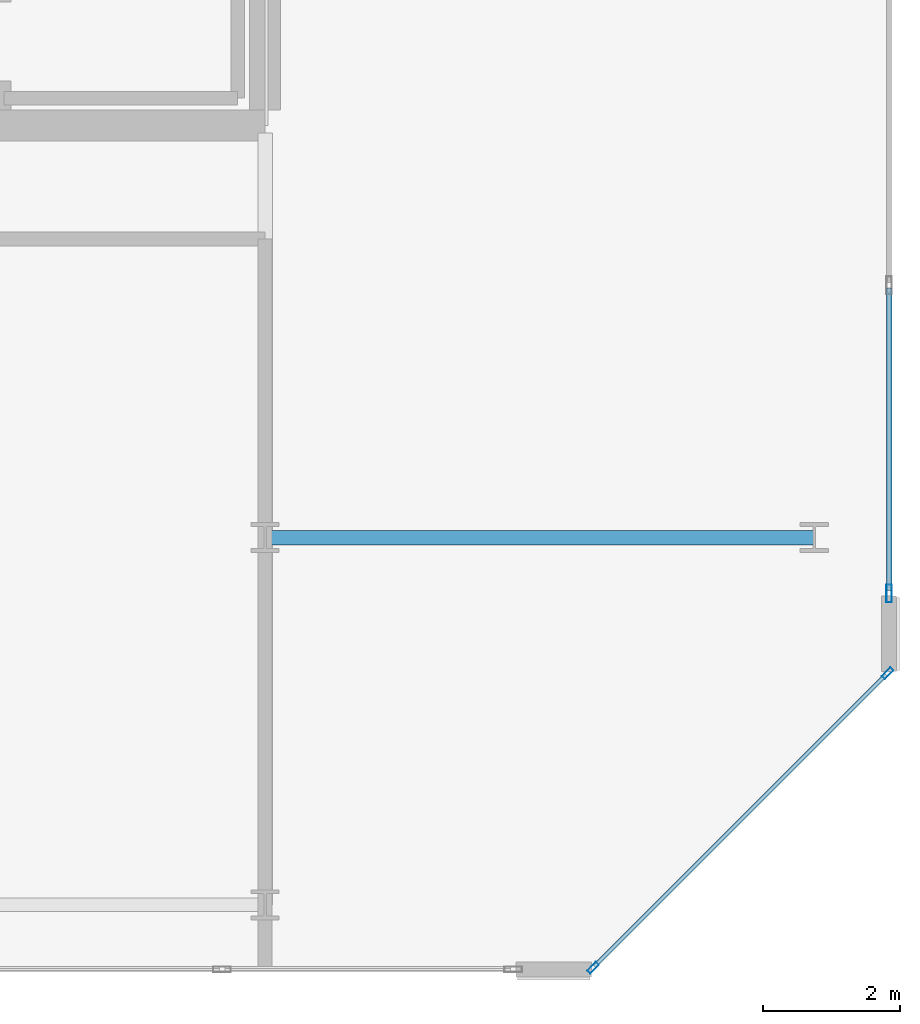
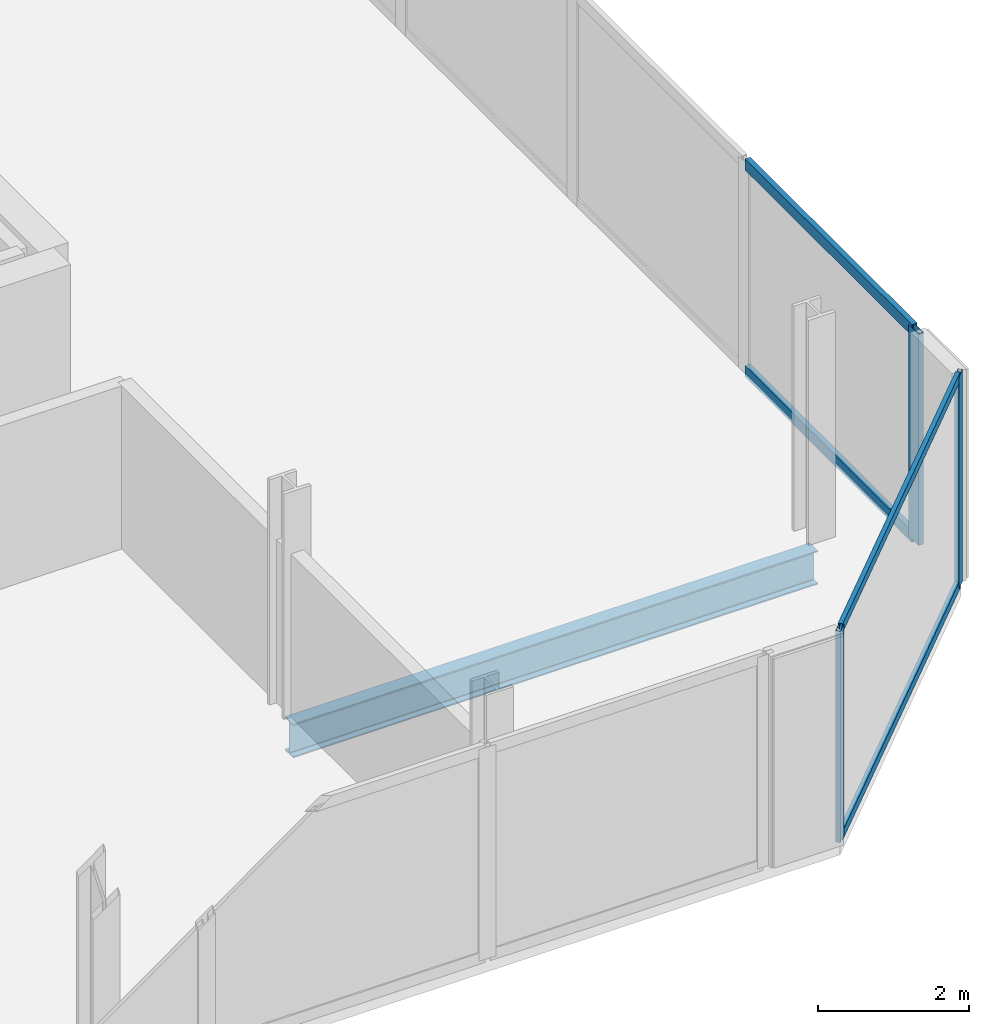
# One storey, part 7 of 16: 7 members, 1 beam, 2 elements without a shape of their own.
"""IFC4 building model written with IfcOpenShell, lengths in metres."""

from ifc_helpers import new_model, si_unit, direction, frame, origin, origin_2d, place, context, subcontext, project, spatial, hollow_rectangle, i_section, extrude, material, layer, layer_set, material_profile, profile_set, type_object, element, aggregate, save


model = new_model("IFC4")

# Units and contexts
model_context = context("Model", 3, precision=1e-05, world=origin(), true_north=direction((0.0, 1.0)))
body_context = subcontext(model_context, "Body", "Model", "MODEL_VIEW")
ifc_project = project(units=[si_unit("LENGTHUNIT", "METRE"), si_unit("AREAUNIT", "SQUARE_METRE"), si_unit("VOLUMEUNIT", "CUBIC_METRE"), si_unit("PLANEANGLEUNIT", "RADIAN"), si_unit("MASSUNIT", "GRAM", prefix="KILO")], contexts=[model_context])

# Site, building, storey
site_placement = place(None, origin())
site = spatial("IfcSite", under=ifc_project, at=site_placement, CompositionType="ELEMENT")
building_placement = place(site_placement, origin())
building = spatial("IfcBuilding", under=site, at=building_placement, Name="Tanjung Sevakor Pilgrim Tower", CompositionType="ELEMENT")
storey_placement = place(building_placement, frame((0.0, 0.0, 271.590087890625)))
storey = spatial("IfcBuildingStorey", under=building, at=storey_placement, Name="L76", CompositionType="ELEMENT", Elevation=271.590087890625)

# Beam
ifc_material_1 = material(Name="Steel S355J2", Category="steel")
ifc_material_profile_1 = material_profile(ifc_material_1, i_section(OverallWidth=0.2119140625, OverallDepth=0.54443359375, WebThickness=0.0126953125, FlangeThickness=0.021240234375, FilletRadius=0.0126953125, at=origin_2d()))
ifc_profile_set_1 = profile_set([ifc_material_profile_1], Name="Steel S355J2")
beam_type = type_object("IfcBeamType", Name="BM-B-G5-UB_533x210x122", PredefinedType="BEAM", material=ifc_profile_set_1)
beam_placement = place(storey_placement, frame((90.0, 18.60009765625, -0.4921875), z_axis=(1.0, 0.0, 0.0), x_axis=(0.0, 1.0, 0.0)))
element("IfcBeam", 1, at=beam_placement, inside=storey, type_object=beam_type, Name="L76 East Peak Wing Girder Y18.6", PredefinedType="BEAM", context=body_context, shape_type="SweptSolid", body=[
    extrude(i_section(OverallWidth=0.2119140625, OverallDepth=0.54443359375, WebThickness=0.0126953125, FlangeThickness=0.021240234375, FilletRadius=0.0126953125, at=origin_2d()), origin(), (0.0, 0.0, 1.0), 8.0),
])

# Curtain wall, members
ifc_material_2 = material(Name="Aluminium 6063-T6 and Low-E Glass", Category="aluminium")
ifc_layer_1 = layer(ifc_material_2, 0.179931640625)
ifc_layer_set_1 = layer_set([ifc_layer_1], Name="CW-SYS-CHAM")
curtain_wall_type_1 = type_object("IfcCurtainWallType", Name="CW-SYS-CHAM", PredefinedType="NOTDEFINED", material=ifc_layer_set_1)
curtain_wall_1_placement = place(storey_placement, origin())
curtain_wall_1 = element("IfcCurtainWall", 2, at=curtain_wall_1_placement, inside=storey, type_object=curtain_wall_type_1, Name="L76 Curtain Wall CW-CHM-L76-EAST-1", PredefinedType="NOTDEFINED")
ifc_material_3 = material(Name="Aluminium 6063-T6", Category="aluminium")
ifc_material_profile_2 = material_profile(ifc_material_3, hollow_rectangle(XDim=0.06494140625, YDim=0.179931640625, WallThickness=0.00390625, at=origin_2d()))
ifc_profile_set_2 = profile_set([ifc_material_profile_2], Name="Aluminium 6063-T6")
member_type_1 = type_object("IfcMemberType", Name="TYPE-CWM-1", PredefinedType="MULLION", material=ifc_profile_set_2)
member_1_placement = place(storey_placement, frame((94.77734375, 12.3330078125, 0.0), z_axis=(0.0, 0.0, 1.0), x_axis=(-0.707106781187, 0.707106781187, 0.0)))
member_1 = element("IfcMember", 3, at=member_1_placement, type_object=member_type_1, Name="CW-CHM mullion 1", PredefinedType="MULLION", context=body_context, shape_type="SweptSolid", body=[
    extrude(hollow_rectangle(XDim=0.06494140625, YDim=0.179931640625, WallThickness=0.00390625, at=origin_2d()), origin(), (0.0, 0.0, 1.0), 3.409912109375),
])
member_2_placement = place(storey_placement, frame((99.067138671875, 16.62255859375, 0.0), z_axis=(0.0, 0.0, 1.0), x_axis=(-0.707106781187, 0.707106781187, 0.0)))
member_2 = element("IfcMember", 4, at=member_2_placement, type_object=member_type_1, Name="CW-CHM mullion 2", PredefinedType="MULLION", context=body_context, shape_type="SweptSolid", body=[
    extrude(hollow_rectangle(XDim=0.06494140625, YDim=0.179931640625, WallThickness=0.00390625, at=origin_2d()), origin(), (0.0, 0.0, 1.0), 3.409912109375),
])

# Curtain wall, member
ifc_material_4 = material(Name="Aluminium 6063-T6 and Low-E Glass", Category="aluminium")
ifc_layer_2 = layer(ifc_material_4, 0.219970703125)
ifc_layer_set_2 = layer_set([ifc_layer_2], Name="CW-SYS-CRNE")
curtain_wall_type_2 = type_object("IfcCurtainWallType", Name="CW-SYS-CRNE", PredefinedType="NOTDEFINED", material=ifc_layer_set_2)
curtain_wall_2_placement = place(storey_placement, origin())
curtain_wall_2 = element("IfcCurtainWall", 5, at=curtain_wall_2_placement, inside=storey, type_object=curtain_wall_type_2, Name="L76 Curtain Wall CW-CRN-L76-EAST-2-1", PredefinedType="NOTDEFINED")
ifc_material_5 = material(Name="Aluminium 6063-T6", Category="aluminium")
ifc_material_profile_3 = material_profile(ifc_material_5, hollow_rectangle(XDim=0.080078125, YDim=0.260009765625, WallThickness=0.0048828125, at=origin_2d()))
ifc_profile_set_3 = profile_set([ifc_material_profile_3], Name="Aluminium 6063-T6")
member_type_2 = type_object("IfcMemberType", Name="TYPE-CWM-3", PredefinedType="MULLION", material=ifc_profile_set_3)
member_3_placement = place(storey_placement, frame((99.090087890625, 17.78564453125, 0.0), z_axis=(0.0, 0.0, 1.0), x_axis=(-1.0, 0.0, 0.0)))
member_3 = element("IfcMember", 6, at=member_3_placement, type_object=member_type_2, Name="CW-CRE mullion 1", PredefinedType="MULLION", context=body_context, shape_type="SweptSolid", body=[
    extrude(hollow_rectangle(XDim=0.080078125, YDim=0.260009765625, WallThickness=0.0048828125, at=origin_2d()), origin(), (0.0, 0.0, 1.0), 3.409912109375),
])

# Member
ifc_material_6 = material(Name="Aluminium 6063-T6", Category="aluminium")
ifc_material_profile_4 = material_profile(ifc_material_6, hollow_rectangle(XDim=0.06494140625, YDim=0.139892578125, WallThickness=0.00390625, at=origin_2d()))
ifc_profile_set_4 = profile_set([ifc_material_profile_4], Name="Aluminium 6063-T6")
member_type_3 = type_object("IfcMemberType", Name="TYPE-CWT-1", PredefinedType="USERDEFINED", material=ifc_profile_set_4)
member_4_placement = place(storey_placement, frame((94.80029296875, 12.35595703125, 0.032470703125), z_axis=(0.707106781187, 0.707106781187, 0.0), x_axis=(-0.707106781187, 0.707106781187, 0.0)))
member_4 = element("IfcMember", 7, at=member_4_placement, type_object=member_type_3, Name="CW-CHM transom 1.1", ObjectType="TRANSOM", PredefinedType="USERDEFINED", context=body_context, shape_type="SweptSolid", body=[
    extrude(hollow_rectangle(XDim=0.06494140625, YDim=0.139892578125, WallThickness=0.00390625, at=origin_2d()), origin(), (0.0, 0.0, 1.0), 6.00146484375),
])

member_5_placement = place(storey_placement, frame((94.80029296875, 12.35595703125, 3.37744140625), z_axis=(0.707106781187, 0.707106781187, 0.0), x_axis=(-0.707106781187, 0.707106781187, 0.0)))
member_5 = element("IfcMember", 8, at=member_5_placement, type_object=member_type_3, Name="CW-CHM transom 1.2", ObjectType="TRANSOM", PredefinedType="USERDEFINED", context=body_context, shape_type="SweptSolid", body=[
    extrude(hollow_rectangle(XDim=0.06494140625, YDim=0.139892578125, WallThickness=0.00390625, at=origin_2d()), origin(), (0.0, 0.0, 1.0), 6.00146484375),
])

aggregate(curtain_wall_1, [member_1, member_2, member_4, member_5])

ifc_material_7 = material(Name="Aluminium 6063-T6", Category="aluminium")
ifc_material_profile_5 = material_profile(ifc_material_7, hollow_rectangle(XDim=0.080078125, YDim=0.179931640625, WallThickness=0.0048828125, at=origin_2d()))
ifc_profile_set_5 = profile_set([ifc_material_profile_5], Name="Aluminium 6063-T6")
member_type_4 = type_object("IfcMemberType", Name="TYPE-CWT-3", PredefinedType="USERDEFINED", material=ifc_profile_set_5)
member_6_placement = place(storey_placement, frame((99.090087890625, 17.82568359375, 0.039794921875), z_axis=(0.0, 1.0, 0.0), x_axis=(-1.0, 0.0, 0.0)))
member_6 = element("IfcMember", 9, at=member_6_placement, type_object=member_type_4, Name="CW-CRE transom 1.1", ObjectType="TRANSOM", PredefinedType="USERDEFINED", context=body_context, shape_type="SweptSolid", body=[
    extrude(hollow_rectangle(XDim=0.080078125, YDim=0.179931640625, WallThickness=0.0048828125, at=origin_2d()), origin(), (0.0, 0.0, 1.0), 4.40966796875),
])

member_7_placement = place(storey_placement, frame((99.090087890625, 17.82568359375, 3.369873046875), z_axis=(0.0, 1.0, 0.0), x_axis=(-1.0, 0.0, 0.0)))
member_7 = element("IfcMember", 10, at=member_7_placement, type_object=member_type_4, Name="CW-CRE transom 1.2", ObjectType="TRANSOM", PredefinedType="USERDEFINED", context=body_context, shape_type="SweptSolid", body=[
    extrude(hollow_rectangle(XDim=0.080078125, YDim=0.179931640625, WallThickness=0.0048828125, at=origin_2d()), origin(), (0.0, 0.0, 1.0), 4.40966796875),
])

aggregate(curtain_wall_2, [member_3, member_6, member_7])

save(model, "model.ifc")
